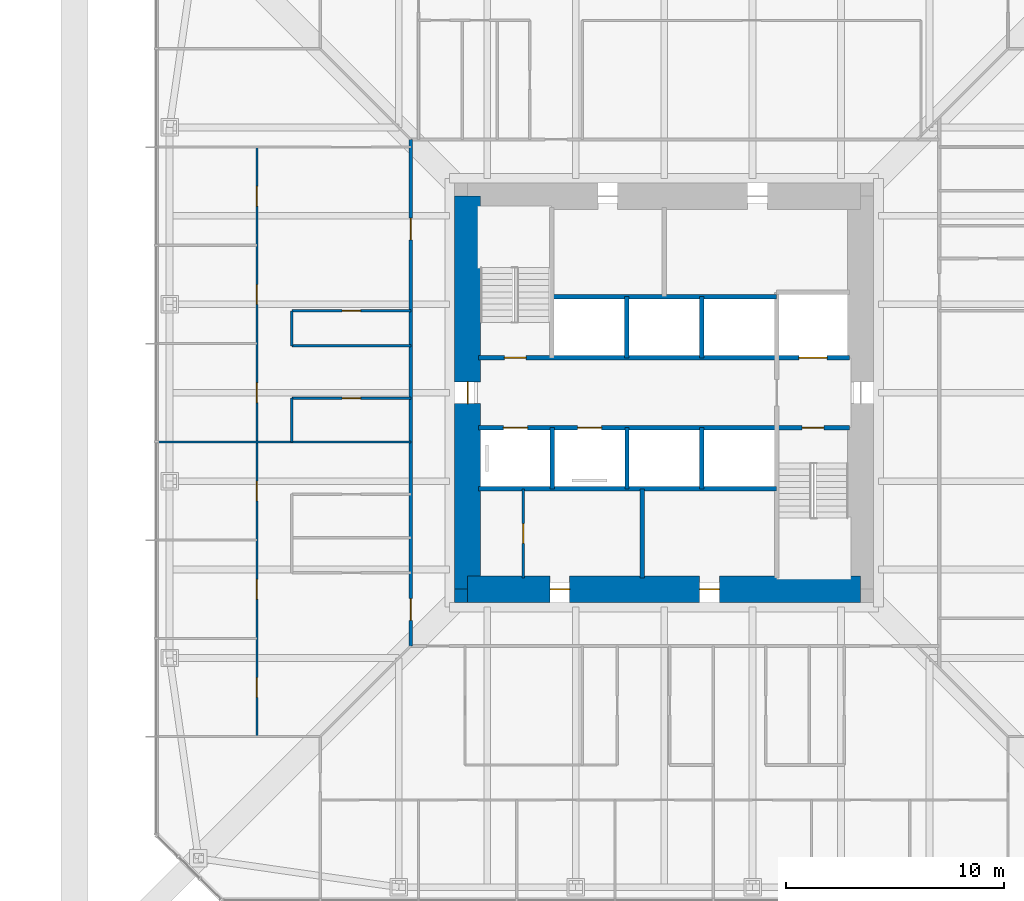
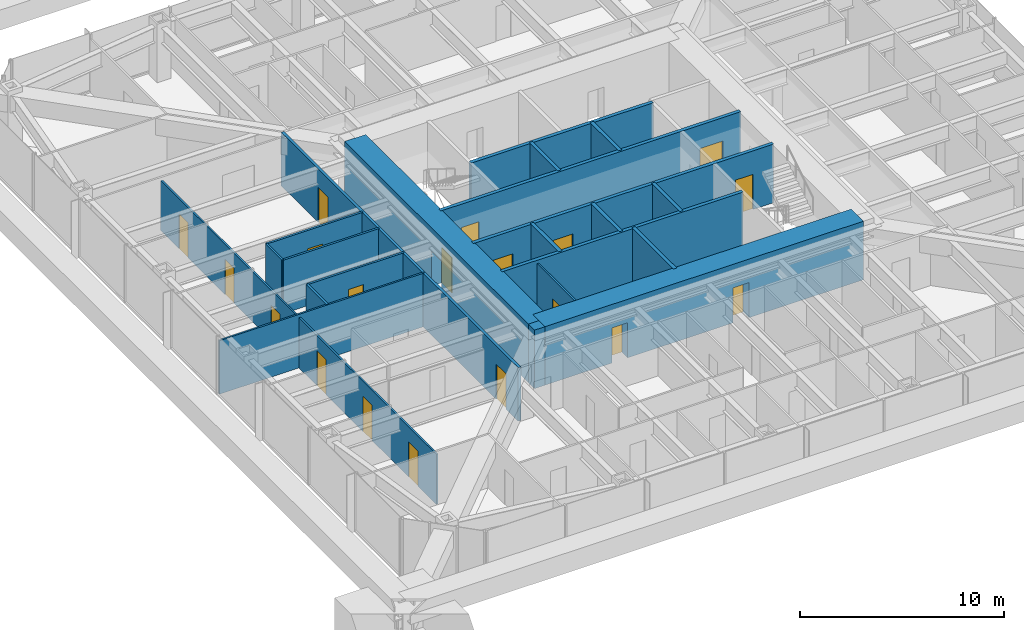
# One storey, part 21 of 32: 22 walls, 19 doors, 19 openings.
"""IFC4 building model written with IfcOpenShell, lengths in metres."""

from ifc_helpers import new_model, si_unit, direction, frame, frame_2d, origin, place, context, subcontext, project, spatial, rectangle, extrude, material, layer, layer_set, type_object, element, fill, save


model = new_model("IFC4")

# Units and contexts
model_context = context("Model", 3, precision=1e-05, world=origin(), true_north=direction((0.0, 1.0)))
body_context = subcontext(model_context, "Body", "Model", "MODEL_VIEW")
ifc_project = project(units=[si_unit("LENGTHUNIT", "METRE"), si_unit("AREAUNIT", "SQUARE_METRE"), si_unit("VOLUMEUNIT", "CUBIC_METRE"), si_unit("PLANEANGLEUNIT", "RADIAN"), si_unit("MASSUNIT", "GRAM", prefix="KILO")], contexts=[model_context])

# Site, building, storey
site_placement = place(None, origin())
site = spatial("IfcSite", under=ifc_project, at=site_placement, CompositionType="ELEMENT")
building_placement = place(site_placement, origin())
building = spatial("IfcBuilding", under=site, at=building_placement, Name="Iwan Alto Co-Living Towers", CompositionType="ELEMENT")
storey_placement = place(building_placement, frame((0.0, 0.0, 71.0)))
storey = spatial("IfcBuildingStorey", under=building, at=storey_placement, Name="L19", CompositionType="ELEMENT", Elevation=71.0)

# Wall, openings, doors
ifc_material_1 = material(Name="Gypsum board")
ifc_layer_1 = layer(ifc_material_1, 0.02490234375, Name="Board", Category="Finish")
ifc_material_2 = material(Name="Steel ASTM A1003 ST33H cold-formed studs", Category="steel")
ifc_layer_2 = layer(ifc_material_2, 0.10009765625, Name="Studs", Category="Framing")
ifc_layer_3 = layer(ifc_material_1, 0.02490234375, Name="Board", Category="Finish")
ifc_layer_set_1 = layer_set([ifc_layer_1, ifc_layer_2, ifc_layer_3], Name="CORRIDOR WALL 150")
wall_type_1 = type_object("IfcWallType", Name="CORRIDOR WALL 150", PredefinedType="PARTITIONING", material=ifc_layer_set_1)
wall_1_placement = place(storey_placement, frame((-11.60009765625, -11.60009765625, 0.0), z_axis=(0.0, 0.0, 1.0), x_axis=(0.0, 1.0, 0.0)))
wall_1 = element("IfcWall", 1, at=wall_1_placement, inside=storey, type_object=wall_type_1, Name="Partition L19", PredefinedType="PARTITIONING", context=body_context, shape_type="SweptSolid", body=[
    extrude(rectangle(XDim=23.2001953125, YDim=0.14990234375, at=frame_2d((11.60009765625, 0.0))), origin(), (0.0, 0.0, 1.0), 3.199951171875),
])
opening_1_placement = place(wall_1_placement, frame((18.60009765625, 0.0, 0.0)))
opening_1 = element("IfcOpeningElement", 2, at=opening_1_placement, cuts=wall_1, Name="Opening D3", PredefinedType="OPENING", context=body_context, shape_type="SweptSolid", body=[
    extrude(rectangle(XDim=1.0, YDim=2.10009765625, at=frame_2d((0.5, 1.050048828125))), frame((0.0, 0.0849609375, 0.0), z_axis=(0.0, -1.0, 0.0), x_axis=(1.0, 0.0, 0.0)), (0.0, 0.0, 1.0), 0.169921875),
])
opening_2_placement = place(wall_1_placement, frame((1.175048828125, 0.0, 0.0)))
opening_2 = element("IfcOpeningElement", 3, at=opening_2_placement, cuts=wall_1, Name="Opening D3", PredefinedType="OPENING", context=body_context, shape_type="SweptSolid", body=[
    extrude(rectangle(XDim=1.0, YDim=2.10009765625, at=frame_2d((0.5, 1.050048828125))), frame((0.0, 0.0849609375, 0.0), z_axis=(0.0, -1.0, 0.0), x_axis=(1.0, 0.0, 0.0)), (0.0, 0.0, 1.0), 0.169921875),
])
ifc_material_3 = material(Name="Steel frame with timber leaf", Category="steel")
door_type_1 = type_object("IfcDoorType", Name="FLAT ENTRANCE DOOR FD30S 1000X2100", OperationType="SINGLE_SWING_LEFT", PredefinedType="DOOR", material=ifc_material_3)
door_1_placement = place(opening_1_placement, origin())
door_1 = element("IfcDoor", 4, at=door_1_placement, inside=storey, type_object=door_type_1, Name="Cluster lounge and shared kitchen door L19", OperationType="SINGLE_SWING_LEFT", OverallHeight=2.10009765625, OverallWidth=1.0, PredefinedType="DOOR", context=body_context, shape_type="SweptSolid", body=[
    extrude(rectangle(XDim=1.0, YDim=2.10009765625, at=frame_2d((0.5, 1.050048828125))), frame((0.0, 0.02490234375, 0.0), z_axis=(0.0, -1.0, 0.0), x_axis=(1.0, 0.0, 0.0)), (0.0, 0.0, 1.0), 0.050048828125),
])
fill(opening_1, door_1)
door_2_placement = place(opening_2_placement, origin())
door_2 = element("IfcDoor", 5, at=door_2_placement, inside=storey, type_object=door_type_1, Name="Cluster lounge and shared kitchen door L19", OperationType="SINGLE_SWING_RIGHT", OverallHeight=2.10009765625, OverallWidth=1.0, PredefinedType="DOOR", context=body_context, shape_type="SweptSolid", body=[
    extrude(rectangle(XDim=1.0, YDim=2.10009765625, at=frame_2d((0.5, 1.050048828125))), frame((0.0, 0.02490234375, 0.0), z_axis=(0.0, -1.0, 0.0), x_axis=(1.0, 0.0, 0.0)), (0.0, 0.0, 1.0), 0.050048828125),
])
fill(opening_2, door_2)

# Wall
ifc_layer_4 = layer(ifc_material_1, 0.012451171875, Name="Board", Category="Finish")
ifc_layer_5 = layer(ifc_material_2, 0.074951171875, Name="Studs", Category="Framing")
ifc_layer_6 = layer(ifc_material_1, 0.012451171875, Name="Board", Category="Finish")
ifc_layer_set_2 = layer_set([ifc_layer_4, ifc_layer_5, ifc_layer_6], Name="PARTITION 100")
wall_type_2 = type_object("IfcWallType", Name="PARTITION 100", PredefinedType="PARTITIONING", material=ifc_layer_set_2)
wall_2_placement = place(storey_placement, frame((-23.18994140625, -2.25, 0.0), z_axis=(0.0, 0.0, 1.0), x_axis=(1.0, 0.0, 0.0)))
element("IfcWall", 6, at=wall_2_placement, inside=storey, type_object=wall_type_2, Name="Partition L19", PredefinedType="PARTITIONING", context=body_context, shape_type="SweptSolid", body=[
    extrude(rectangle(XDim=11.58984375, YDim=0.10009765625, at=frame_2d((5.794921875, 0.0))), origin(), (0.0, 0.0, 1.0), 3.199951171875),
])

# Wall, opening, door
wall_3_placement = place(storey_placement, frame((-6.449951171875, -8.489990234375, 0.0), z_axis=(0.0, 0.0, 1.0), x_axis=(0.0, 1.0, 0.0)))
wall_3 = element("IfcWall", 7, at=wall_3_placement, inside=storey, type_object=wall_type_2, Name="Partition L19", PredefinedType="PARTITIONING", context=body_context, shape_type="SweptSolid", body=[
    extrude(rectangle(XDim=4.090087890625, YDim=0.10009765625, at=frame_2d((2.044921875, 0.0))), origin(), (0.0, 0.0, 1.0), 3.300048828125),
])
opening_3_placement = place(wall_3_placement, frame((1.594970703125, 0.0, 0.0)))
opening_3 = element("IfcOpeningElement", 8, at=opening_3_placement, cuts=wall_3, Name="Opening D16", PredefinedType="OPENING", context=body_context, shape_type="SweptSolid", body=[
    extrude(rectangle(XDim=0.89990234375, YDim=2.10009765625, at=frame_2d((0.449951171875, 1.050048828125))), frame((0.0, 0.06005859375, 0.0), z_axis=(0.0, -1.0, 0.0), x_axis=(1.0, 0.0, 0.0)), (0.0, 0.0, 1.0), 0.1201171875),
])
ifc_material_4 = material(Name="Timber leaf in steel frame", Category="steel")
door_type_2 = type_object("IfcDoorType", Name="CUPBOARD SLIDING DOOR 900X2100", OperationType="SLIDING_TO_LEFT", PredefinedType="DOOR", material=ifc_material_4)
door_3_placement = place(opening_3_placement, origin())
door_3 = element("IfcDoor", 9, at=door_3_placement, inside=storey, type_object=door_type_2, Name="Bulky waste store door L19", OperationType="SLIDING_TO_LEFT", OverallHeight=2.10009765625, OverallWidth=0.89990234375, PredefinedType="DOOR", context=body_context, shape_type="SweptSolid", body=[
    extrude(rectangle(XDim=0.89990234375, YDim=2.10009765625, at=frame_2d((0.449951171875, 1.050048828125))), frame((0.0, 0.02490234375, 0.0), z_axis=(0.0, -1.0, 0.0), x_axis=(1.0, 0.0, 0.0)), (0.0, 0.0, 1.0), 0.050048828125),
])
fill(opening_3, door_3)

# Wall, openings, doors
wall_4_placement = place(storey_placement, frame((-18.64990234375, -15.75, 0.0), z_axis=(0.0, 0.0, 1.0), x_axis=(0.0, 1.0, 0.0)))
wall_4 = element("IfcWall", 10, at=wall_4_placement, inside=storey, type_object=wall_type_2, Name="Partition L19", PredefinedType="PARTITIONING", context=body_context, shape_type="SweptSolid", body=[
    extrude(rectangle(XDim=27.0, YDim=0.10009765625, at=frame_2d((13.5, 0.0))), origin(), (0.0, 0.0, 1.0), 3.0),
])
opening_4_placement = place(wall_4_placement, frame((24.300048828125, 0.0, 0.0)))
opening_4 = element("IfcOpeningElement", 11, at=opening_4_placement, cuts=wall_4, Name="Opening D1", PredefinedType="OPENING", context=body_context, shape_type="SweptSolid", body=[
    extrude(rectangle(XDim=0.89990234375, YDim=2.10009765625, at=frame_2d((0.449951171875, 1.050048828125))), frame((0.0, 0.06005859375, 0.0), z_axis=(0.0, -1.0, 0.0), x_axis=(1.0, 0.0, 0.0)), (0.0, 0.0, 1.0), 0.1201171875),
])
opening_5_placement = place(wall_4_placement, frame((19.800048828125, 0.0, 0.0)))
opening_5 = element("IfcOpeningElement", 12, at=opening_5_placement, cuts=wall_4, Name="Opening D1", PredefinedType="OPENING", context=body_context, shape_type="SweptSolid", body=[
    extrude(rectangle(XDim=0.89990234375, YDim=2.10009765625, at=frame_2d((0.449951171875, 1.050048828125))), frame((0.0, 0.06005859375, 0.0), z_axis=(0.0, -1.0, 0.0), x_axis=(1.0, 0.0, 0.0)), (0.0, 0.0, 1.0), 0.1201171875),
])
opening_6_placement = place(wall_4_placement, frame((15.300048828125, 0.0, 0.0)))
opening_6 = element("IfcOpeningElement", 13, at=opening_6_placement, cuts=wall_4, Name="Opening D1", PredefinedType="OPENING", context=body_context, shape_type="SweptSolid", body=[
    extrude(rectangle(XDim=0.89990234375, YDim=2.10009765625, at=frame_2d((0.449951171875, 1.050048828125))), frame((0.0, 0.06005859375, 0.0), z_axis=(0.0, -1.0, 0.0), x_axis=(1.0, 0.0, 0.0)), (0.0, 0.0, 1.0), 0.1201171875),
])
opening_7_placement = place(wall_4_placement, frame((10.800048828125, 0.0, 0.0)))
opening_7 = element("IfcOpeningElement", 14, at=opening_7_placement, cuts=wall_4, Name="Opening D1", PredefinedType="OPENING", context=body_context, shape_type="SweptSolid", body=[
    extrude(rectangle(XDim=0.89990234375, YDim=2.10009765625, at=frame_2d((0.449951171875, 1.050048828125))), frame((0.0, 0.06005859375, 0.0), z_axis=(0.0, -1.0, 0.0), x_axis=(1.0, 0.0, 0.0)), (0.0, 0.0, 1.0), 0.1201171875),
])
opening_8_placement = place(wall_4_placement, frame((6.300048828125, 0.0, 0.0)))
opening_8 = element("IfcOpeningElement", 15, at=opening_8_placement, cuts=wall_4, Name="Opening D1", PredefinedType="OPENING", context=body_context, shape_type="SweptSolid", body=[
    extrude(rectangle(XDim=0.89990234375, YDim=2.10009765625, at=frame_2d((0.449951171875, 1.050048828125))), frame((0.0, 0.06005859375, 0.0), z_axis=(0.0, -1.0, 0.0), x_axis=(1.0, 0.0, 0.0)), (0.0, 0.0, 1.0), 0.1201171875),
])
opening_9_placement = place(wall_4_placement, frame((1.800048828125, 0.0, 0.0)))
opening_9 = element("IfcOpeningElement", 16, at=opening_9_placement, cuts=wall_4, Name="Opening D1", PredefinedType="OPENING", context=body_context, shape_type="SweptSolid", body=[
    extrude(rectangle(XDim=0.89990234375, YDim=2.10009765625, at=frame_2d((0.449951171875, 1.050048828125))), frame((0.0, 0.06005859375, 0.0), z_axis=(0.0, -1.0, 0.0), x_axis=(1.0, 0.0, 0.0)), (0.0, 0.0, 1.0), 0.1201171875),
])
ifc_material_5 = material(Name="Timber leaf in steel frame", Category="steel")
door_type_3 = type_object("IfcDoorType", Name="BEDROOM DOOR 900X2100", OperationType="SINGLE_SWING_LEFT", PredefinedType="DOOR", material=ifc_material_5)
door_4_placement = place(opening_4_placement, frame((0.89990234375, 0.0, 0.0), z_axis=(0.0, 0.0, 1.0), x_axis=(-1.0, 0.0, 0.0)))
door_4 = element("IfcDoor", 17, at=door_4_placement, inside=storey, type_object=door_type_3, Name="Study bedroom door L19", OperationType="SINGLE_SWING_LEFT", OverallHeight=2.10009765625, OverallWidth=0.89990234375, PredefinedType="DOOR", context=body_context, shape_type="SweptSolid", body=[
    extrude(rectangle(XDim=0.89990234375, YDim=2.10009765625, at=frame_2d((0.449951171875, 1.050048828125))), frame((0.0, 0.02490234375, 0.0), z_axis=(0.0, -1.0, 0.0), x_axis=(1.0, 0.0, 0.0)), (0.0, 0.0, 1.0), 0.050048828125),
])
fill(opening_4, door_4)
door_5_placement = place(opening_5_placement, frame((0.89990234375, 0.0, 0.0), z_axis=(0.0, 0.0, 1.0), x_axis=(-1.0, 0.0, 0.0)))
door_5 = element("IfcDoor", 18, at=door_5_placement, inside=storey, type_object=door_type_3, Name="Study bedroom door L19", OperationType="SINGLE_SWING_RIGHT", OverallHeight=2.10009765625, OverallWidth=0.89990234375, PredefinedType="DOOR", context=body_context, shape_type="SweptSolid", body=[
    extrude(rectangle(XDim=0.89990234375, YDim=2.10009765625, at=frame_2d((0.449951171875, 1.050048828125))), frame((0.0, 0.02490234375, 0.0), z_axis=(0.0, -1.0, 0.0), x_axis=(1.0, 0.0, 0.0)), (0.0, 0.0, 1.0), 0.050048828125),
])
fill(opening_5, door_5)
door_6_placement = place(opening_6_placement, frame((0.89990234375, 0.0, 0.0), z_axis=(0.0, 0.0, 1.0), x_axis=(-1.0, 0.0, 0.0)))
door_6 = element("IfcDoor", 19, at=door_6_placement, inside=storey, type_object=door_type_3, Name="Study bedroom door L19", OperationType="SINGLE_SWING_RIGHT", OverallHeight=2.10009765625, OverallWidth=0.89990234375, PredefinedType="DOOR", context=body_context, shape_type="SweptSolid", body=[
    extrude(rectangle(XDim=0.89990234375, YDim=2.10009765625, at=frame_2d((0.449951171875, 1.050048828125))), frame((0.0, 0.02490234375, 0.0), z_axis=(0.0, -1.0, 0.0), x_axis=(1.0, 0.0, 0.0)), (0.0, 0.0, 1.0), 0.050048828125),
])
fill(opening_6, door_6)
door_7_placement = place(opening_7_placement, frame((0.89990234375, 0.0, 0.0), z_axis=(0.0, 0.0, 1.0), x_axis=(-1.0, 0.0, 0.0)))
door_7 = element("IfcDoor", 20, at=door_7_placement, inside=storey, type_object=door_type_3, Name="Study bedroom door L19", OperationType="SINGLE_SWING_LEFT", OverallHeight=2.10009765625, OverallWidth=0.89990234375, PredefinedType="DOOR", context=body_context, shape_type="SweptSolid", body=[
    extrude(rectangle(XDim=0.89990234375, YDim=2.10009765625, at=frame_2d((0.449951171875, 1.050048828125))), frame((0.0, 0.02490234375, 0.0), z_axis=(0.0, -1.0, 0.0), x_axis=(1.0, 0.0, 0.0)), (0.0, 0.0, 1.0), 0.050048828125),
])
fill(opening_7, door_7)
door_8_placement = place(opening_8_placement, frame((0.89990234375, 0.0, 0.0), z_axis=(0.0, 0.0, 1.0), x_axis=(-1.0, 0.0, 0.0)))
door_8 = element("IfcDoor", 21, at=door_8_placement, inside=storey, type_object=door_type_3, Name="Study bedroom door L19", OperationType="SINGLE_SWING_RIGHT", OverallHeight=2.10009765625, OverallWidth=0.89990234375, PredefinedType="DOOR", context=body_context, shape_type="SweptSolid", body=[
    extrude(rectangle(XDim=0.89990234375, YDim=2.10009765625, at=frame_2d((0.449951171875, 1.050048828125))), frame((0.0, 0.02490234375, 0.0), z_axis=(0.0, -1.0, 0.0), x_axis=(1.0, 0.0, 0.0)), (0.0, 0.0, 1.0), 0.050048828125),
])
fill(opening_8, door_8)
door_9_placement = place(opening_9_placement, frame((0.89990234375, 0.0, 0.0), z_axis=(0.0, 0.0, 1.0), x_axis=(-1.0, 0.0, 0.0)))
door_9 = element("IfcDoor", 22, at=door_9_placement, inside=storey, type_object=door_type_3, Name="Study bedroom door L19", OperationType="SINGLE_SWING_RIGHT", OverallHeight=2.10009765625, OverallWidth=0.89990234375, PredefinedType="DOOR", context=body_context, shape_type="SweptSolid", body=[
    extrude(rectangle(XDim=0.89990234375, YDim=2.10009765625, at=frame_2d((0.449951171875, 1.050048828125))), frame((0.0, 0.02490234375, 0.0), z_axis=(0.0, -1.0, 0.0), x_axis=(1.0, 0.0, 0.0)), (0.0, 0.0, 1.0), 0.050048828125),
])
fill(opening_9, door_9)

# Wall
ifc_material_6 = material(Name="Concrete f'c 70 MPa", Category="concrete")
ifc_layer_7 = layer(ifc_material_6, 0.199951171875)
ifc_layer_set_3 = layer_set([ifc_layer_7], Name="SHAFT WALL 200")
wall_type_3 = type_object("IfcWallType", Name="SHAFT WALL 200", PredefinedType="SOLIDWALL", material=ifc_layer_set_3)
wall_5_placement = place(storey_placement, frame((-8.489990234375, -4.39990234375, 0.0), z_axis=(0.0, 0.0, 1.0), x_axis=(1.0, 0.0, 0.0)))
element("IfcWall", 23, at=wall_5_placement, inside=storey, type_object=wall_type_3, Name="Shaft wall L19", PredefinedType="SOLIDWALL", context=body_context, shape_type="SweptSolid", body=[
    extrude(rectangle(XDim=13.639892578125, YDim=0.199951171875, at=frame_2d((6.81982421875, 0.0))), origin(), (0.0, 0.0, 1.0), 3.5),
])

# Wall, openings, doors
wall_6_placement = place(storey_placement, frame((-8.489990234375, -1.60009765625, 0.0), z_axis=(0.0, 0.0, 1.0), x_axis=(1.0, 0.0, 0.0)))
wall_6 = element("IfcWall", 24, at=wall_6_placement, inside=storey, type_object=wall_type_3, Name="Shaft wall L19", PredefinedType="SOLIDWALL", context=body_context, shape_type="SweptSolid", body=[
    extrude(rectangle(XDim=16.97998046875, YDim=0.199951171875, at=frame_2d((8.489990234375, 0.0))), origin(), (0.0, 0.0, 1.0), 3.5),
])
opening_10_placement = place(wall_6_placement, frame((14.81005859375, 0.0, 0.0)))
opening_10 = element("IfcOpeningElement", 25, at=opening_10_placement, cuts=wall_6, Name="Opening D5", PredefinedType="OPENING", context=body_context, shape_type="SweptSolid", body=[
    extrude(rectangle(XDim=1.0, YDim=2.10009765625, at=frame_2d((0.5, 1.050048828125))), frame((0.0, 0.10986328125, 0.0), z_axis=(0.0, -1.0, 0.0), x_axis=(1.0, 0.0, 0.0)), (0.0, 0.0, 1.0), 0.219970703125),
])
opening_11_placement = place(wall_6_placement, frame((1.133056640625, 0.0, 0.0)))
opening_11 = element("IfcOpeningElement", 26, at=opening_11_placement, cuts=wall_6, Name="Opening LD", PredefinedType="OPENING", context=body_context, shape_type="SweptSolid", body=[
    extrude(rectangle(XDim=1.10009765625, YDim=2.10009765625, at=frame_2d((0.550048828125, 1.050048828125))), frame((0.0, 0.10986328125, 0.0), z_axis=(0.0, -1.0, 0.0), x_axis=(1.0, 0.0, 0.0)), (0.0, 0.0, 1.0), 0.219970703125),
])
opening_12_placement = place(wall_6_placement, frame((4.528076171875, 0.0, 0.0)))
opening_12 = element("IfcOpeningElement", 27, at=opening_12_placement, cuts=wall_6, Name="Opening LD", PredefinedType="OPENING", context=body_context, shape_type="SweptSolid", body=[
    extrude(rectangle(XDim=1.10009765625, YDim=2.10009765625, at=frame_2d((0.550048828125, 1.050048828125))), frame((0.0, 0.10986328125, 0.0), z_axis=(0.0, -1.0, 0.0), x_axis=(1.0, 0.0, 0.0)), (0.0, 0.0, 1.0), 0.219970703125),
])
ifc_material_7 = material(Name="Steel frame with timber leaf", Category="steel")
door_type_4 = type_object("IfcDoorType", Name="LIFT LANDING DOOR 1100X2100", OperationType="DOUBLE_DOOR_SLIDING", PredefinedType="DOOR", material=ifc_material_7)
door_10_placement = place(opening_11_placement, origin())
door_10 = element("IfcDoor", 28, at=door_10_placement, inside=storey, type_object=door_type_4, Name="Lift P1-1 landing door L19", OperationType="DOUBLE_DOOR_SLIDING", OverallHeight=2.10009765625, OverallWidth=1.10009765625, PredefinedType="DOOR", context=body_context, shape_type="SweptSolid", body=[
    extrude(rectangle(XDim=1.10009765625, YDim=2.10009765625, at=frame_2d((0.550048828125, 1.050048828125))), frame((0.0, 0.02490234375, 0.0), z_axis=(0.0, -1.0, 0.0), x_axis=(1.0, 0.0, 0.0)), (0.0, 0.0, 1.0), 0.050048828125),
])
fill(opening_11, door_10)
door_11_placement = place(opening_12_placement, origin())
door_11 = element("IfcDoor", 29, at=door_11_placement, inside=storey, type_object=door_type_4, Name="Lift P1-2 landing door L19", OperationType="DOUBLE_DOOR_SLIDING", OverallHeight=2.10009765625, OverallWidth=1.10009765625, PredefinedType="DOOR", context=body_context, shape_type="SweptSolid", body=[
    extrude(rectangle(XDim=1.10009765625, YDim=2.10009765625, at=frame_2d((0.550048828125, 1.050048828125))), frame((0.0, 0.02490234375, 0.0), z_axis=(0.0, -1.0, 0.0), x_axis=(1.0, 0.0, 0.0)), (0.0, 0.0, 1.0), 0.050048828125),
])
fill(opening_12, door_11)
ifc_material_8 = material(Name="Steel frame with timber leaf", Category="steel")
door_type_5 = type_object("IfcDoorType", Name="STAIR DOOR FD120S 1000X2100", OperationType="SINGLE_SWING_LEFT", PredefinedType="DOOR", material=ifc_material_8)
door_12_placement = place(opening_10_placement, frame((1.0, 0.0, 0.0), z_axis=(0.0, 0.0, 1.0), x_axis=(-1.0, 0.0, 0.0)))
door_12 = element("IfcDoor", 30, at=door_12_placement, inside=storey, type_object=door_type_5, Name="Stair S2 door L19", OperationType="SINGLE_SWING_RIGHT", OverallHeight=2.10009765625, OverallWidth=1.0, PredefinedType="DOOR", context=body_context, shape_type="SweptSolid", body=[
    extrude(rectangle(XDim=1.0, YDim=2.10009765625, at=frame_2d((0.5, 1.050048828125))), frame((0.0, 0.02490234375, 0.0), z_axis=(0.0, -1.0, 0.0), x_axis=(1.0, 0.0, 0.0)), (0.0, 0.0, 1.0), 0.050048828125),
])
fill(opening_10, door_12)

wall_7_placement = place(storey_placement, frame((-8.489990234375, 1.60009765625, 0.0), z_axis=(0.0, 0.0, 1.0), x_axis=(1.0, 0.0, 0.0)))
wall_7 = element("IfcWall", 31, at=wall_7_placement, inside=storey, type_object=wall_type_3, Name="Shaft wall L19", PredefinedType="SOLIDWALL", context=body_context, shape_type="SweptSolid", body=[
    extrude(rectangle(XDim=16.97998046875, YDim=0.199951171875, at=frame_2d((8.489990234375, 0.0))), origin(), (0.0, 0.0, 1.0), 3.5),
])
opening_13_placement = place(wall_7_placement, frame((1.169921875, 0.0, 0.0)))
opening_13 = element("IfcOpeningElement", 32, at=opening_13_placement, cuts=wall_7, Name="Opening D5", PredefinedType="OPENING", context=body_context, shape_type="SweptSolid", body=[
    extrude(rectangle(XDim=1.0, YDim=2.10009765625, at=frame_2d((0.5, 1.050048828125))), frame((0.0, 0.10986328125, 0.0), z_axis=(0.0, -1.0, 0.0), x_axis=(1.0, 0.0, 0.0)), (0.0, 0.0, 1.0), 0.219970703125),
])
opening_14_placement = place(wall_7_placement, frame((14.659912109375, 0.0, 0.0)))
opening_14 = element("IfcOpeningElement", 33, at=opening_14_placement, cuts=wall_7, Name="Opening LD2", PredefinedType="OPENING", context=body_context, shape_type="SweptSolid", body=[
    extrude(rectangle(XDim=1.300048828125, YDim=2.10009765625, at=frame_2d((0.64990234375, 1.050048828125))), frame((0.0, 0.10986328125, 0.0), z_axis=(0.0, -1.0, 0.0), x_axis=(1.0, 0.0, 0.0)), (0.0, 0.0, 1.0), 0.219970703125),
])
ifc_material_9 = material(Name="Steel frame with timber leaf", Category="steel")
door_type_6 = type_object("IfcDoorType", Name="LIFT LANDING DOOR 1300X2100", OperationType="SLIDING_TO_LEFT", PredefinedType="DOOR", material=ifc_material_9)
door_13_placement = place(opening_14_placement, origin())
door_13 = element("IfcDoor", 34, at=door_13_placement, inside=storey, type_object=door_type_6, Name="Lift FL1 landing door L19", OperationType="SLIDING_TO_LEFT", OverallHeight=2.10009765625, OverallWidth=1.300048828125, PredefinedType="DOOR", context=body_context, shape_type="SweptSolid", body=[
    extrude(rectangle(XDim=1.300048828125, YDim=2.10009765625, at=frame_2d((0.64990234375, 1.050048828125))), frame((0.0, 0.02490234375, 0.0), z_axis=(0.0, -1.0, 0.0), x_axis=(1.0, 0.0, 0.0)), (0.0, 0.0, 1.0), 0.050048828125),
])
fill(opening_14, door_13)
door_14_placement = place(opening_13_placement, origin())
door_14 = element("IfcDoor", 35, at=door_14_placement, inside=storey, type_object=door_type_5, Name="Stair S1 door L19", OperationType="SINGLE_SWING_RIGHT", OverallHeight=2.10009765625, OverallWidth=1.0, PredefinedType="DOOR", context=body_context, shape_type="SweptSolid", body=[
    extrude(rectangle(XDim=1.0, YDim=2.10009765625, at=frame_2d((0.5, 1.050048828125))), frame((0.0, 0.02490234375, 0.0), z_axis=(0.0, -1.0, 0.0), x_axis=(1.0, 0.0, 0.0)), (0.0, 0.0, 1.0), 0.050048828125),
])
fill(opening_13, door_14)

# Walls
wall_8_placement = place(storey_placement, frame((-5.14990234375, 4.39990234375, 0.0), z_axis=(0.0, 0.0, 1.0), x_axis=(1.0, 0.0, 0.0)))
element("IfcWall", 36, at=wall_8_placement, inside=storey, type_object=wall_type_3, Name="Shaft wall L19", PredefinedType="SOLIDWALL", context=body_context, shape_type="SweptSolid", body=[
    extrude(rectangle(XDim=10.2998046875, YDim=0.199951171875, at=frame_2d((5.14990234375, 0.0))), origin(), (0.0, 0.0, 1.0), 3.5),
])
for number, where, z_axis, x_axis, name in (
    (37, (1.72509765625, -4.39990234375, 0.0), (0.0, 0.0, 1.0), (0.0, 1.0, 0.0), "Shaft wall L19"),
    (38, (1.717041015625, 1.60009765625, 0.0), (0.0, 0.0, 1.0), (0.0, 1.0, 0.0), "Shaft wall L19"),
):
    element("IfcWall", number, at=place(storey_placement, frame(where, z_axis=z_axis, x_axis=x_axis)), inside=storey, type_object=wall_type_3, Name=name, PredefinedType="SOLIDWALL", context=body_context, shape_type="SweptSolid", body=[
        extrude(rectangle(XDim=2.7998046875, YDim=0.199951171875, at=frame_2d((1.39990234375, 0.0))), origin(), (0.0, 0.0, 1.0), 3.5),
    ])
wall_9_placement = place(storey_placement, frame((-1.0, -8.489990234375, 0.0), z_axis=(0.0, 0.0, 1.0), x_axis=(0.0, 1.0, 0.0)))
element("IfcWall", 39, at=wall_9_placement, inside=storey, type_object=wall_type_3, Name="Shaft wall L19", PredefinedType="SOLIDWALL", context=body_context, shape_type="SweptSolid", body=[
    extrude(rectangle(XDim=4.090087890625, YDim=0.199951171875, at=frame_2d((2.044921875, 0.0))), origin(), (0.0, 0.0, 1.0), 3.5),
])
for number, where, z_axis, x_axis, name in (
    (40, (-1.699951171875, -4.39990234375, 0.0), (0.0, 0.0, 1.0), (0.0, 1.0, 0.0), "Shaft wall L19"),
    (41, (-1.717041015625, 1.60009765625, 0.0), (0.0, 0.0, 1.0), (0.0, 1.0, 0.0), "Shaft wall L19"),
    (42, (-5.125, -4.39990234375, 0.0), (0.0, 0.0, 1.0), (0.0, 1.0, 0.0), "Shaft wall L19"),
):
    element("IfcWall", number, at=place(storey_placement, frame(where, z_axis=z_axis, x_axis=x_axis)), inside=storey, type_object=wall_type_3, Name=name, PredefinedType="SOLIDWALL", context=body_context, shape_type="SweptSolid", body=[
        extrude(rectangle(XDim=2.7998046875, YDim=0.199951171875, at=frame_2d((1.39990234375, 0.0))), origin(), (0.0, 0.0, 1.0), 3.5),
    ])
ifc_material_10 = material(Name="Concrete f'c 70 MPa", Category="concrete")
ifc_layer_8 = layer(ifc_material_10, 0.60009765625)
ifc_layer_set_4 = layer_set([ifc_layer_8], Name="T1 CORE CORNER FILL 600")
wall_type_4 = type_object("IfcWallType", Name="T1 CORE CORNER FILL 600", PredefinedType="SOLIDWALL", material=ifc_layer_set_4)
wall_10_placement = place(storey_placement, frame((-9.60009765625, -9.300048828125, 0.0), z_axis=(0.0, 0.0, 1.0), x_axis=(1.0, 0.0, 0.0)))
element("IfcWall", 43, at=wall_10_placement, inside=storey, type_object=wall_type_4, Name="T1 core corner SW L19", PredefinedType="SOLIDWALL", context=body_context, shape_type="SweptSolid", body=[
    extrude(rectangle(XDim=0.60009765625, YDim=0.60009765625, at=frame_2d((0.300048828125, 0.0))), origin(), (0.0, 0.0, 1.0), 3.5),
])

# Wall, openings, doors
ifc_material_11 = material(Name="Concrete f'c 70 MPa", Category="concrete")
ifc_layer_9 = layer(ifc_material_11, 1.199951171875)
ifc_layer_set_5 = layer_set([ifc_layer_9], Name="T1 CORE WALL 1200")
wall_type_5 = type_object("IfcWallType", Name="T1 CORE WALL 1200", PredefinedType="SHEAR", material=ifc_layer_set_5)
wall_11_placement = place(storey_placement, frame((-9.0, -9.0, 0.0), z_axis=(0.0, 0.0, 1.0), x_axis=(1.0, 0.0, 0.0)))
wall_11 = element("IfcWall", 44, at=wall_11_placement, inside=storey, type_object=wall_type_5, Name="T1 core wall S L19", PredefinedType="SHEAR", context=body_context, shape_type="SweptSolid", body=[
    extrude(rectangle(XDim=18.0, YDim=1.199951171875, at=frame_2d((9.0, 0.0))), origin(), (0.0, 0.0, 1.0), 3.5),
])
opening_15_placement = place(wall_11_placement, frame((3.77490234375, 0.0, 0.0)))
opening_15 = element("IfcOpeningElement", 45, at=opening_15_placement, cuts=wall_11, Name="Opening D8", PredefinedType="OPENING", context=body_context, shape_type="SweptSolid", body=[
    extrude(rectangle(XDim=0.89990234375, YDim=2.10009765625, at=frame_2d((0.449951171875, 1.050048828125))), frame((0.0, 0.60986328125, 0.0), z_axis=(0.0, -1.0, 0.0), x_axis=(1.0, 0.0, 0.0)), (0.0, 0.0, 1.0), 1.219970703125),
])
opening_16_placement = place(wall_11_placement, frame((10.625, 0.0, 0.0)))
opening_16 = element("IfcOpeningElement", 46, at=opening_16_placement, cuts=wall_11, Name="Opening D8", PredefinedType="OPENING", context=body_context, shape_type="SweptSolid", body=[
    extrude(rectangle(XDim=0.89990234375, YDim=2.10009765625, at=frame_2d((0.449951171875, 1.050048828125))), frame((0.0, 0.60986328125, 0.0), z_axis=(0.0, -1.0, 0.0), x_axis=(1.0, 0.0, 0.0)), (0.0, 0.0, 1.0), 1.219970703125),
])
ifc_material_12 = material(Name="Steel frame with timber leaf", Category="steel")
door_type_7 = type_object("IfcDoorType", Name="RISER DOOR FD120 900X2100", OperationType="SINGLE_SWING_LEFT", PredefinedType="DOOR", material=ifc_material_12)
door_15_placement = place(opening_15_placement, origin())
door_15 = element("IfcDoor", 47, at=door_15_placement, inside=storey, type_object=door_type_7, Name="Refuse room core door L19", OperationType="SINGLE_SWING_LEFT", OverallHeight=2.10009765625, OverallWidth=0.89990234375, PredefinedType="DOOR", context=body_context, shape_type="SweptSolid", body=[
    extrude(rectangle(XDim=0.89990234375, YDim=2.10009765625, at=frame_2d((0.449951171875, 1.050048828125))), frame((0.0, 0.02490234375, 0.0), z_axis=(0.0, -1.0, 0.0), x_axis=(1.0, 0.0, 0.0)), (0.0, 0.0, 1.0), 0.050048828125),
])
fill(opening_15, door_15)
door_16_placement = place(opening_16_placement, origin())
door_16 = element("IfcDoor", 48, at=door_16_placement, inside=storey, type_object=door_type_7, Name="Telecom riser core door L19", OperationType="SINGLE_SWING_LEFT", OverallHeight=2.10009765625, OverallWidth=0.89990234375, PredefinedType="DOOR", context=body_context, shape_type="SweptSolid", body=[
    extrude(rectangle(XDim=0.89990234375, YDim=2.10009765625, at=frame_2d((0.449951171875, 1.050048828125))), frame((0.0, 0.02490234375, 0.0), z_axis=(0.0, -1.0, 0.0), x_axis=(1.0, 0.0, 0.0)), (0.0, 0.0, 1.0), 0.050048828125),
])
fill(opening_16, door_16)

# Wall, opening, door
wall_12_placement = place(storey_placement, frame((-9.0, 9.0, 0.0), z_axis=(0.0, 0.0, 1.0), x_axis=(0.0, -1.0, 0.0)))
wall_12 = element("IfcWall", 49, at=wall_12_placement, inside=storey, type_object=wall_type_5, Name="T1 core wall W L19", PredefinedType="SHEAR", context=body_context, shape_type="SweptSolid", body=[
    extrude(rectangle(XDim=18.0, YDim=1.199951171875, at=frame_2d((9.0, 0.0))), origin(), (0.0, 0.0, 1.0), 3.5),
])
opening_17_placement = place(wall_12_placement, frame((8.5, 0.0, 0.0)))
opening_17 = element("IfcOpeningElement", 50, at=opening_17_placement, cuts=wall_12, Name="Opening D7", PredefinedType="OPENING", context=body_context, shape_type="SweptSolid", body=[
    extrude(rectangle(XDim=1.0, YDim=2.10009765625, at=frame_2d((0.5, 1.050048828125))), frame((0.0, 0.60986328125, 0.0), z_axis=(0.0, -1.0, 0.0), x_axis=(1.0, 0.0, 0.0)), (0.0, 0.0, 1.0), 1.219970703125),
])
ifc_material_13 = material(Name="Steel frame with timber leaf", Category="steel")
door_type_8 = type_object("IfcDoorType", Name="CORE DOOR FD120S 1000X2100", OperationType="SINGLE_SWING_LEFT", PredefinedType="DOOR", material=ifc_material_13)
door_17_placement = place(opening_17_placement, origin())
door_17 = element("IfcDoor", 51, at=door_17_placement, inside=storey, type_object=door_type_8, Name="Lift lobby core door L19", OperationType="SINGLE_SWING_RIGHT", OverallHeight=2.10009765625, OverallWidth=1.0, PredefinedType="DOOR", context=body_context, shape_type="SweptSolid", body=[
    extrude(rectangle(XDim=1.0, YDim=2.10009765625, at=frame_2d((0.5, 1.050048828125))), frame((0.0, 0.02490234375, 0.0), z_axis=(0.0, -1.0, 0.0), x_axis=(1.0, 0.0, 0.0)), (0.0, 0.0, 1.0), 0.050048828125),
])
fill(opening_17, door_17)

ifc_material_14 = material(Name="Cement board")
ifc_layer_10 = layer(ifc_material_14, 0.012451171875, Name="Board", Category="Finish")
ifc_layer_11 = layer(ifc_material_2, 0.094970703125, Name="Studs", Category="Framing")
ifc_layer_12 = layer(ifc_material_14, 0.012451171875, Name="Board", Category="Finish")
ifc_layer_set_6 = layer_set([ifc_layer_10, ifc_layer_11, ifc_layer_12], Name="WET AREA PARTITION 120")
wall_type_6 = type_object("IfcWallType", Name="WET AREA PARTITION 120", PredefinedType="PARTITIONING", material=ifc_layer_set_6)
wall_13_placement = place(storey_placement, frame((-17.050048828125, -0.25, 0.0), z_axis=(0.0, 0.0, 1.0), x_axis=(1.0, 0.0, 0.0)))
wall_13 = element("IfcWall", 52, at=wall_13_placement, inside=storey, type_object=wall_type_6, Name="Partition L19", PredefinedType="PARTITIONING", context=body_context, shape_type="SweptSolid", body=[
    extrude(rectangle(XDim=5.449951171875, YDim=0.1201171875, at=frame_2d((2.72509765625, 0.0))), origin(), (0.0, 0.0, 1.0), 3.199951171875),
])
opening_18_placement = place(wall_13_placement, frame((2.300048828125, 0.0, 0.0)))
opening_18 = element("IfcOpeningElement", 53, at=opening_18_placement, cuts=wall_13, Name="Opening D2", PredefinedType="OPENING", context=body_context, shape_type="SweptSolid", body=[
    extrude(rectangle(XDim=0.85009765625, YDim=2.10009765625, at=frame_2d((0.425048828125, 1.050048828125))), frame((0.0, 0.070068359375, 0.0), z_axis=(0.0, -1.0, 0.0), x_axis=(1.0, 0.0, 0.0)), (0.0, 0.0, 1.0), 0.14013671875),
])
ifc_material_15 = material(Name="Timber leaf in steel frame", Category="steel")
door_type_9 = type_object("IfcDoorType", Name="ROOM DOOR 850X2100", OperationType="SINGLE_SWING_LEFT", PredefinedType="DOOR", material=ifc_material_15)
door_18_placement = place(opening_18_placement, origin())
door_18 = element("IfcDoor", 54, at=door_18_placement, inside=storey, type_object=door_type_9, Name="Laundry door L19", OperationType="SINGLE_SWING_RIGHT", OverallHeight=2.10009765625, OverallWidth=0.85009765625, PredefinedType="DOOR", context=body_context, shape_type="SweptSolid", body=[
    extrude(rectangle(XDim=0.85009765625, YDim=2.10009765625, at=frame_2d((0.425048828125, 1.050048828125))), frame((0.0, 0.02490234375, 0.0), z_axis=(0.0, -1.0, 0.0), x_axis=(1.0, 0.0, 0.0)), (0.0, 0.0, 1.0), 0.050048828125),
])
fill(opening_18, door_18)

# Wall
wall_14_placement = place(storey_placement, frame((-17.050048828125, 2.14990234375, 0.0), z_axis=(0.0, 0.0, 1.0), x_axis=(1.0, 0.0, 0.0)))
element("IfcWall", 55, at=wall_14_placement, inside=storey, type_object=wall_type_6, Name="Partition L19", PredefinedType="PARTITIONING", context=body_context, shape_type="SweptSolid", body=[
    extrude(rectangle(XDim=5.449951171875, YDim=0.1201171875, at=frame_2d((2.72509765625, 0.0))), origin(), (0.0, 0.0, 1.0), 3.199951171875),
])

# Wall, opening, door
wall_15_placement = place(storey_placement, frame((-17.050048828125, 3.75, 0.0), z_axis=(0.0, 0.0, 1.0), x_axis=(1.0, 0.0, 0.0)))
wall_15 = element("IfcWall", 56, at=wall_15_placement, inside=storey, type_object=wall_type_6, Name="Partition L19", PredefinedType="PARTITIONING", context=body_context, shape_type="SweptSolid", body=[
    extrude(rectangle(XDim=5.449951171875, YDim=0.1201171875, at=frame_2d((2.72509765625, 0.0))), origin(), (0.0, 0.0, 1.0), 3.199951171875),
])
opening_19_placement = place(wall_15_placement, frame((2.300048828125, 0.0, 0.0)))
opening_19 = element("IfcOpeningElement", 57, at=opening_19_placement, cuts=wall_15, Name="Opening D2", PredefinedType="OPENING", context=body_context, shape_type="SweptSolid", body=[
    extrude(rectangle(XDim=0.85009765625, YDim=2.10009765625, at=frame_2d((0.425048828125, 1.050048828125))), frame((0.0, 0.070068359375, 0.0), z_axis=(0.0, -1.0, 0.0), x_axis=(1.0, 0.0, 0.0)), (0.0, 0.0, 1.0), 0.14013671875),
])
door_19_placement = place(opening_19_placement, origin())
door_19 = element("IfcDoor", 58, at=door_19_placement, inside=storey, type_object=door_type_9, Name="Accessible bathroom door L19", OperationType="SINGLE_SWING_RIGHT", OverallHeight=2.10009765625, OverallWidth=0.85009765625, PredefinedType="DOOR", context=body_context, shape_type="SweptSolid", body=[
    extrude(rectangle(XDim=0.85009765625, YDim=2.10009765625, at=frame_2d((0.425048828125, 1.050048828125))), frame((0.0, 0.02490234375, 0.0), z_axis=(0.0, -1.0, 0.0), x_axis=(1.0, 0.0, 0.0)), (0.0, 0.0, 1.0), 0.050048828125),
])
fill(opening_19, door_19)

# Walls
wall_16_placement = place(storey_placement, frame((-17.050048828125, -2.25, 0.0), z_axis=(0.0, 0.0, 1.0), x_axis=(0.0, 1.0, 0.0)))
element("IfcWall", 59, at=wall_16_placement, inside=storey, type_object=wall_type_6, Name="Partition L19", PredefinedType="PARTITIONING", context=body_context, shape_type="SweptSolid", body=[
    extrude(rectangle(XDim=2.0, YDim=0.1201171875, at=frame_2d((1.0, 0.0))), origin(), (0.0, 0.0, 1.0), 3.199951171875),
])
wall_17_placement = place(storey_placement, frame((-17.050048828125, 2.14990234375, 0.0), z_axis=(0.0, 0.0, 1.0), x_axis=(0.0, 1.0, 0.0)))
element("IfcWall", 60, at=wall_17_placement, inside=storey, type_object=wall_type_6, Name="Partition L19", PredefinedType="PARTITIONING", context=body_context, shape_type="SweptSolid", body=[
    extrude(rectangle(XDim=1.60009765625, YDim=0.1201171875, at=frame_2d((0.800048828125, 0.0))), origin(), (0.0, 0.0, 1.0), 3.199951171875),
])

save(model, "model.ifc")
